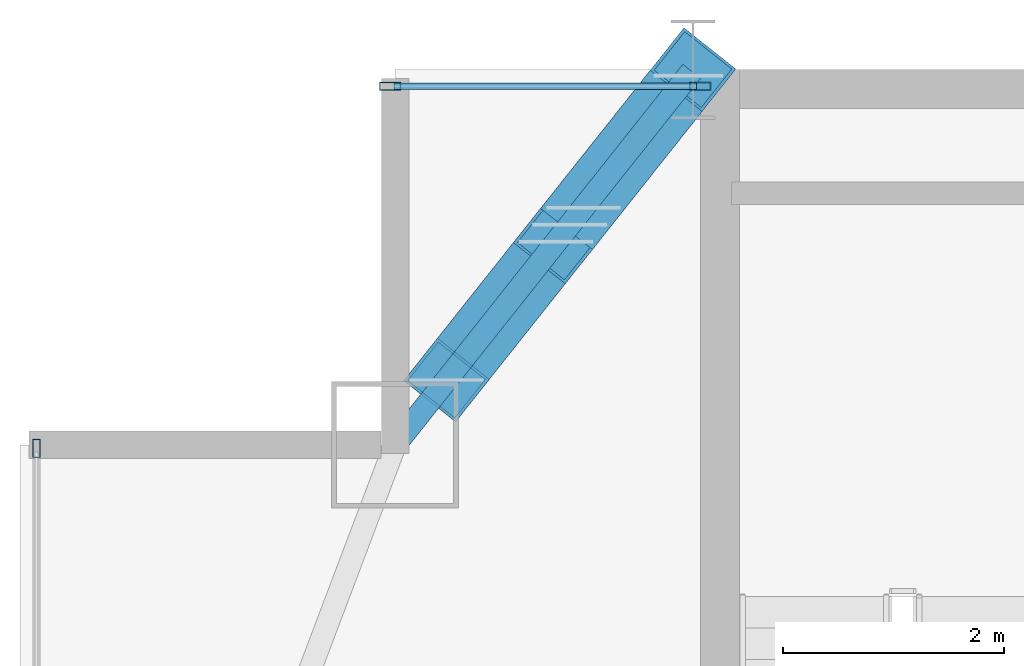
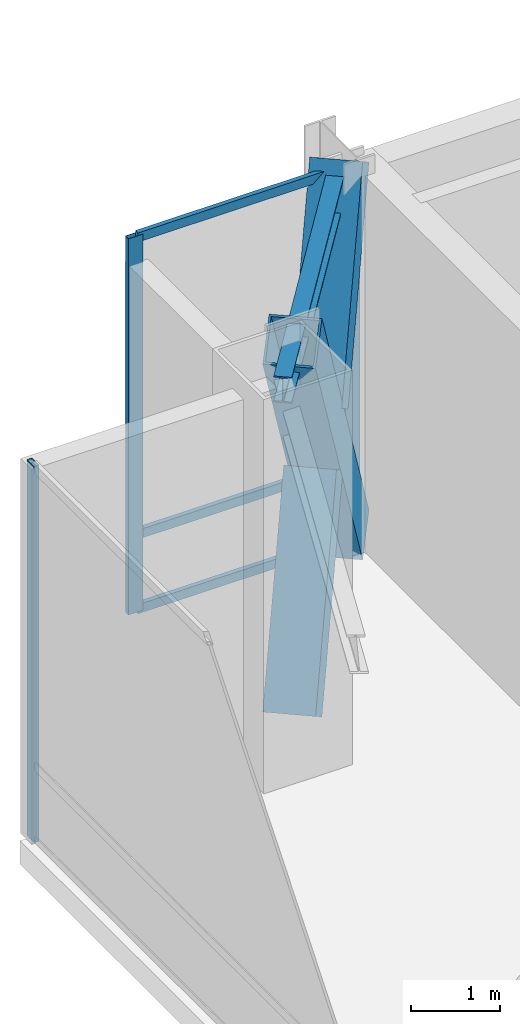
# One storey, part 13 of 21: 9 members, 1 beam, 2 elements without a shape of their own.
"""IFC4 building model written with IfcOpenShell, lengths in metres."""

from ifc_helpers import new_model, si_unit, direction, frame, origin, origin_2d, place, context, subcontext, project, spatial, hollow_rectangle, i_section, extrude, source, transform, mapped, material, layer, layer_set, material_profile, profile_set, type_object, type_shapes, element, aggregate, save


model = new_model("IFC4")

# Units and contexts
model_context = context("Model", 3, precision=1e-05, world=origin(), true_north=direction((0.0, 1.0)))
body_context = subcontext(model_context, "Body", "Model", "MODEL_VIEW")
ifc_project = project(units=[si_unit("LENGTHUNIT", "METRE"), si_unit("AREAUNIT", "SQUARE_METRE"), si_unit("VOLUMEUNIT", "CUBIC_METRE"), si_unit("PLANEANGLEUNIT", "RADIAN"), si_unit("MASSUNIT", "GRAM", prefix="KILO")], contexts=[model_context])

# Site, building, storey
site_placement = place(None, origin())
site = spatial("IfcSite", under=ifc_project, at=site_placement, CompositionType="ELEMENT")
building_placement = place(site_placement, origin())
building = spatial("IfcBuilding", under=site, at=building_placement, Name="Varnel Quay Broadcast Tower", CompositionType="ELEMENT")
storey_placement = place(building_placement, frame((0.0, 0.0, 234.0)))
storey = spatial("IfcBuildingStorey", under=building, at=storey_placement, Name="L58", CompositionType="ELEMENT", Elevation=234.0)

# Beam
ifc_material_1 = material(Name="Structural Steel CSA G40.21 350W", Category="steel")
ifc_material_profile_1 = material_profile(ifc_material_1, i_section(OverallWidth=0.205078125, OverallDepth=0.35400390625, WebThickness=0.009521484375, FlangeThickness=0.016845703125, FilletRadius=0.012939453125, at=origin_2d()), Name="W360X79")
ifc_profile_set_1 = profile_set([ifc_material_profile_1], Name="Structural Steel CSA G40.21 350W")
beam_type = type_object("IfcBeamType", Name="Beam_W360X79", PredefinedType="SPANDREL", material=ifc_profile_set_1)
shared_shape_1 = source(origin(), body_context, "Body", "SweptSolid", [
    extrude(i_section(OverallWidth=0.205078125, OverallDepth=0.35400390625, WebThickness=0.009521484375, FlangeThickness=0.016845703125, FilletRadius=0.012939453125, at=origin_2d()), origin(), (0.0, 0.0, 1.0), 4.301513671875),
])
type_shapes(beam_type, [shared_shape_1])
beam_placement = place(storey_placement, frame((12.912353515625, 43.415771484375, 4.972900390625), z_axis=(0.621936399401, 0.783067758946, 0.0), x_axis=(-0.783067758946, 0.621936399401, 0.0)))
element("IfcBeam", 1, at=beam_placement, inside=storey, type_object=beam_type, Name="L58 NW Tie Spandrel", PredefinedType="SPANDREL", context=body_context, shape_type="MappedRepresentation", body=[
    mapped(shared_shape_1, transform((0.0, 0.0, 0.0), x_axis=(1.0, 0.0, 0.0), y_axis=(0.0, 1.0, 0.0), z_axis=(0.0, 0.0, 1.0), scale=1.0)),
])

# Members
ifc_material_2 = material(Name="Structural Steel CSA G40.21 350WT", Category="steel")
ifc_material_profile_2 = material_profile(ifc_material_2, hollow_rectangle(XDim=0.60009765625, YDim=0.60009765625, WallThickness=0.028076171875, at=origin_2d()), Name="BOX600X600X28")
ifc_profile_set_2 = profile_set([ifc_material_profile_2], Name="Structural Steel CSA G40.21 350WT")
member_type_1 = type_object("IfcMemberType", Name="Outrigger_BOX600X600X28", PredefinedType="BRACE", material=ifc_profile_set_2)
shared_shape_2 = source(origin(), body_context, "Body", "SweptSolid", [
    extrude(hollow_rectangle(XDim=0.60009765625, YDim=0.60009765625, WallThickness=0.028076171875, at=origin_2d()), origin(), (0.0, 0.0, 1.0), 6.246337890625),
])
member_1_placement = place(storey_placement, frame((15.60009765625, 46.800048828125, 0.02001953125), z_axis=(-0.357672421121, -0.45038348908, 0.818061826474), x_axis=(0.783098192794, -0.621898078822, 0.0)))
element("IfcMember", 2, at=member_1_placement, inside=storey, type_object=member_type_1, Name="L58 Outrigger NW Continuous Diag A", PredefinedType="BRACE", context=body_context, shape_type="MappedRepresentation", body=[
    mapped(shared_shape_2, transform((0.0, 0.0, 0.0), x_axis=(1.0, 0.0, 0.0), y_axis=(0.0, 1.0, 0.0), z_axis=(0.0, 0.0, 1.0), scale=1.0)),
])
shared_shape_3 = source(origin(), body_context, "Body", "SweptSolid", [
    extrude(hollow_rectangle(XDim=0.60009765625, YDim=0.60009765625, WallThickness=0.028076171875, at=origin_2d()), origin(), (0.0, 0.0, 1.0), 2.779296875),
])
member_2_placement = place(storey_placement, frame((13.365966796875, 43.98681640625, 0.02001953125), z_axis=(0.357613124293, 0.450376440248, 0.8180916302), x_axis=(-0.783143665139, 0.621840815444, 0.0)))
element("IfcMember", 3, at=member_2_placement, inside=storey, type_object=member_type_1, Name="L58 Outrigger NW Split Diag B1", PredefinedType="BRACE", context=body_context, shape_type="MappedRepresentation", body=[
    mapped(shared_shape_3, transform((0.0, 0.0, 0.0), x_axis=(1.0, 0.0, 0.0), y_axis=(0.0, 1.0, 0.0), z_axis=(0.0, 0.0, 1.0), scale=1.0)),
])
shared_shape_4 = source(origin(), body_context, "Body", "SweptSolid", [
    extrude(hollow_rectangle(XDim=0.60009765625, YDim=0.60009765625, WallThickness=0.028076171875, at=origin_2d()), origin(), (0.0, 0.0, 1.0), 2.779541015625),
])
type_shapes(member_type_1, [shared_shape_2, shared_shape_3, shared_shape_4])
member_3_placement = place(storey_placement, frame((14.60595703125, 45.548095703125, 2.856201171875), z_axis=(0.357675579717, 0.450432311589, 0.818033564318), x_axis=(-0.783128346756, 0.621860106862, 0.0)))
element("IfcMember", 4, at=member_3_placement, inside=storey, type_object=member_type_1, Name="L58 Outrigger NW Split Diag B2", PredefinedType="BRACE", context=body_context, shape_type="MappedRepresentation", body=[
    mapped(shared_shape_4, transform((0.0, 0.0, 0.0), x_axis=(1.0, 0.0, 0.0), y_axis=(0.0, 1.0, 0.0), z_axis=(0.0, 0.0, 1.0), scale=1.0)),
])

# Curtain wall, member
ifc_material_3 = material(Name="Anodised Bronze Aluminium 6063-T6", Category="aluminium")
ifc_layer_1 = layer(ifc_material_3, 0.18994140625, Name="Anodised Bronze Aluminium 6063-T6")
ifc_layer_set_1 = layer_set([ifc_layer_1], Name="Anodised Bronze Aluminium 6063-T6")
curtain_wall_type_1 = type_object("IfcCurtainWallType", Name="CW_UpperTower", PredefinedType="NOTDEFINED", material=ifc_layer_set_1)
curtain_wall_1_placement = place(storey_placement, origin())
curtain_wall_1 = element("IfcCurtainWall", 5, at=curtain_wall_1_placement, inside=storey, type_object=curtain_wall_type_1, Name="L58 West Plant Curtain Wall", PredefinedType="NOTDEFINED")
ifc_material_profile_3 = material_profile(ifc_material_3, hollow_rectangle(XDim=0.06494140625, YDim=0.1650390625, WallThickness=0.00341796875, at=origin_2d()), Name="ALU65X165X3.5")
ifc_profile_set_3 = profile_set([ifc_material_profile_3], Name="Anodised Bronze Aluminium 6063-T6")
member_type_2 = type_object("IfcMemberType", Name="Mull_CWS-03", PredefinedType="MULLION", material=ifc_profile_set_3)
shared_shape_5 = source(origin(), body_context, "Body", "SweptSolid", [
    extrude(hollow_rectangle(XDim=0.06494140625, YDim=0.1650390625, WallThickness=0.00341796875, at=origin_2d()), origin(), (0.0, 0.0, 1.0), 5.14990234375),
])
type_shapes(member_type_2, [shared_shape_5])
member_4_placement = place(storey_placement, frame((9.64990234375, 43.367431640625, 0.0), z_axis=(0.0, 0.0, 1.0), x_axis=(-1.0, 0.0, 0.0)))
member_4 = element("IfcMember", 6, at=member_4_placement, type_object=member_type_2, Name="CWS-03 mullion 3", PredefinedType="MULLION", context=body_context, shape_type="MappedRepresentation", body=[
    mapped(shared_shape_5, transform((0.0, 0.0, 0.0), x_axis=(1.0, 0.0, 0.0), y_axis=(0.0, 1.0, 0.0), z_axis=(0.0, 0.0, 1.0), scale=1.0)),
])
aggregate(curtain_wall_1, [member_4])

# Curtain wall, members
ifc_layer_2 = layer(ifc_material_3, 0.18994140625, Name="Anodised Bronze Aluminium 6063-T6")
ifc_layer_set_2 = layer_set([ifc_layer_2], Name="Anodised Bronze Aluminium 6063-T6")
curtain_wall_type_2 = type_object("IfcCurtainWallType", Name="CW_CrownScreen", PredefinedType="NOTDEFINED", material=ifc_layer_set_2)
curtain_wall_2_placement = place(storey_placement, origin())
curtain_wall_2 = element("IfcCurtainWall", 7, at=curtain_wall_2_placement, inside=storey, type_object=curtain_wall_type_2, Name="L58 NW Wing Curtain Wall", PredefinedType="NOTDEFINED")
ifc_material_profile_4 = material_profile(ifc_material_3, hollow_rectangle(XDim=0.070068359375, YDim=0.18994140625, WallThickness=0.00390625, at=origin_2d()), Name="ALU70X190X4")
ifc_profile_set_4 = profile_set([ifc_material_profile_4], Name="Anodised Bronze Aluminium 6063-T6")
member_type_3 = type_object("IfcMemberType", Name="Mull_CWS-06", PredefinedType="MULLION", material=ifc_profile_set_4)
shared_shape_6 = source(origin(), body_context, "Body", "SweptSolid", [
    extrude(hollow_rectangle(XDim=0.070068359375, YDim=0.18994140625, WallThickness=0.00390625, at=origin_2d()), origin(), (0.0, 0.0, 1.0), 5.14990234375),
])
type_shapes(member_type_3, [shared_shape_6])
member_5_placement = place(storey_placement, frame((12.85498046875, 46.64990234375, 0.0), z_axis=(0.0, 0.0, 1.0), x_axis=(0.0, 1.0, 0.0)))
member_5 = element("IfcMember", 8, at=member_5_placement, type_object=member_type_3, Name="CWS-06 mullion 1", PredefinedType="MULLION", context=body_context, shape_type="MappedRepresentation", body=[
    mapped(shared_shape_6, transform((0.0, 0.0, 0.0), x_axis=(1.0, 0.0, 0.0), y_axis=(0.0, 1.0, 0.0), z_axis=(0.0, 0.0, 1.0), scale=1.0)),
])
member_6_placement = place(storey_placement, frame((15.6650390625, 46.64990234375, 0.0), z_axis=(0.0, 0.0, 1.0), x_axis=(0.0, 1.0, 0.0)))
member_6 = element("IfcMember", 9, at=member_6_placement, type_object=member_type_3, Name="CWS-06 mullion 2", PredefinedType="MULLION", context=body_context, shape_type="MappedRepresentation", body=[
    mapped(shared_shape_6, transform((0.0, 0.0, 0.0), x_axis=(1.0, 0.0, 0.0), y_axis=(0.0, 1.0, 0.0), z_axis=(0.0, 0.0, 1.0), scale=1.0)),
])
ifc_material_profile_5 = material_profile(ifc_material_3, hollow_rectangle(XDim=0.06005859375, YDim=0.125, WallThickness=0.0029296875, at=origin_2d()), Name="ALU60X125X3")
ifc_profile_set_5 = profile_set([ifc_material_profile_5], Name="Anodised Bronze Aluminium 6063-T6")
member_type_4 = type_object("IfcMemberType", Name="Tran_CWS-06", PredefinedType="USERDEFINED", material=ifc_profile_set_5)
shared_shape_7 = source(origin(), body_context, "Body", "SweptSolid", [
    extrude(hollow_rectangle(XDim=0.06005859375, YDim=0.125, WallThickness=0.0029296875, at=origin_2d()), origin(), (0.0, 0.0, 1.0), 2.739990234375),
])
type_shapes(member_type_4, [shared_shape_7])
member_7_placement = place(storey_placement, frame((12.889892578125, 46.64990234375, 0.030029296875), z_axis=(1.0, 0.0, 0.0), x_axis=(0.0, 1.0, 0.0)))
member_7 = element("IfcMember", 10, at=member_7_placement, type_object=member_type_4, Name="CWS-06 transom 1.1", ObjectType="TRANSOM", PredefinedType="USERDEFINED", context=body_context, shape_type="MappedRepresentation", body=[
    mapped(shared_shape_7, transform((0.0, 0.0, 0.0), x_axis=(1.0, 0.0, 0.0), y_axis=(0.0, 1.0, 0.0), z_axis=(0.0, 0.0, 1.0), scale=1.0)),
])
member_8_placement = place(storey_placement, frame((12.889892578125, 46.64990234375, 1.050048828125), z_axis=(1.0, 0.0, 0.0), x_axis=(0.0, 1.0, 0.0)))
member_8 = element("IfcMember", 11, at=member_8_placement, type_object=member_type_4, Name="CWS-06 transom 1.2", ObjectType="TRANSOM", PredefinedType="USERDEFINED", context=body_context, shape_type="MappedRepresentation", body=[
    mapped(shared_shape_7, transform((0.0, 0.0, 0.0), x_axis=(1.0, 0.0, 0.0), y_axis=(0.0, 1.0, 0.0), z_axis=(0.0, 0.0, 1.0), scale=1.0)),
])
member_9_placement = place(storey_placement, frame((12.889892578125, 46.64990234375, 5.1201171875), z_axis=(1.0, 0.0, 0.0), x_axis=(0.0, 1.0, 0.0)))
member_9 = element("IfcMember", 12, at=member_9_placement, type_object=member_type_4, Name="CWS-06 transom 1.3", ObjectType="TRANSOM", PredefinedType="USERDEFINED", context=body_context, shape_type="MappedRepresentation", body=[
    mapped(shared_shape_7, transform((0.0, 0.0, 0.0), x_axis=(1.0, 0.0, 0.0), y_axis=(0.0, 1.0, 0.0), z_axis=(0.0, 0.0, 1.0), scale=1.0)),
])
aggregate(curtain_wall_2, [member_5, member_6, member_7, member_8, member_9])

save(model, "model.ifc")
